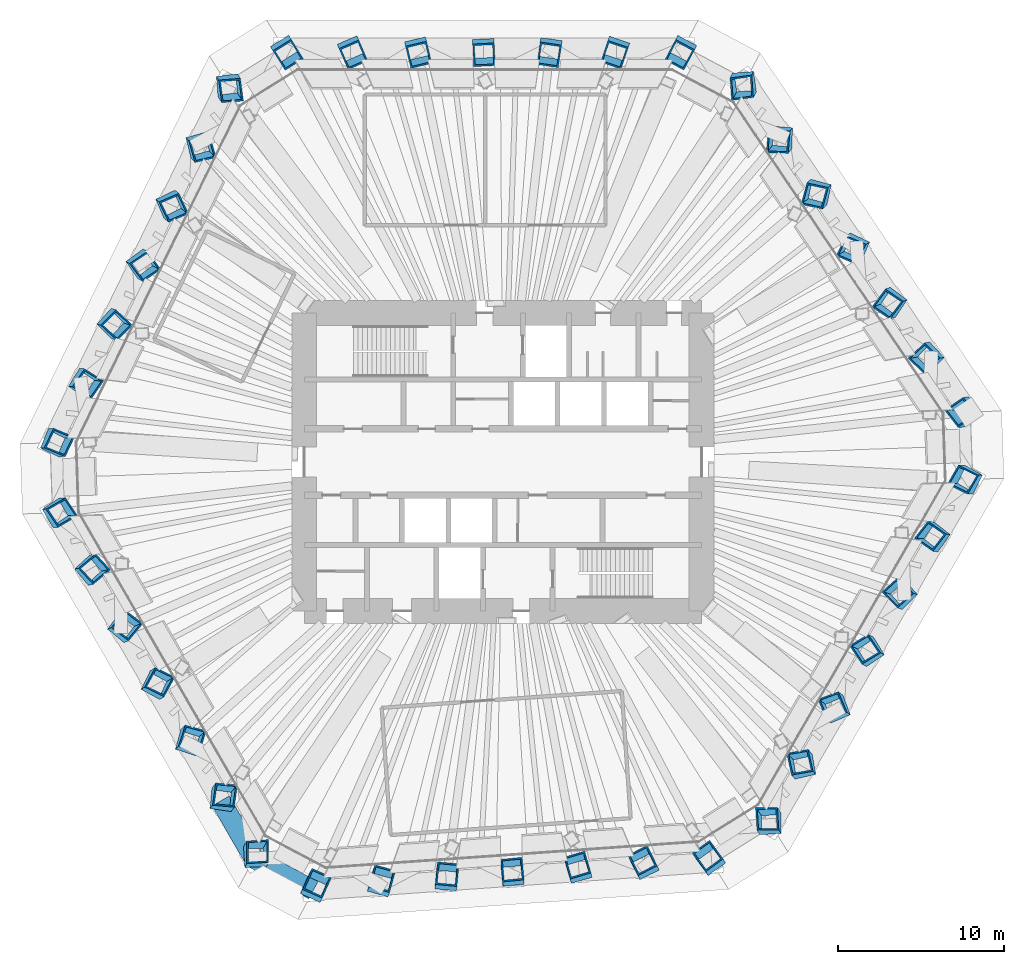
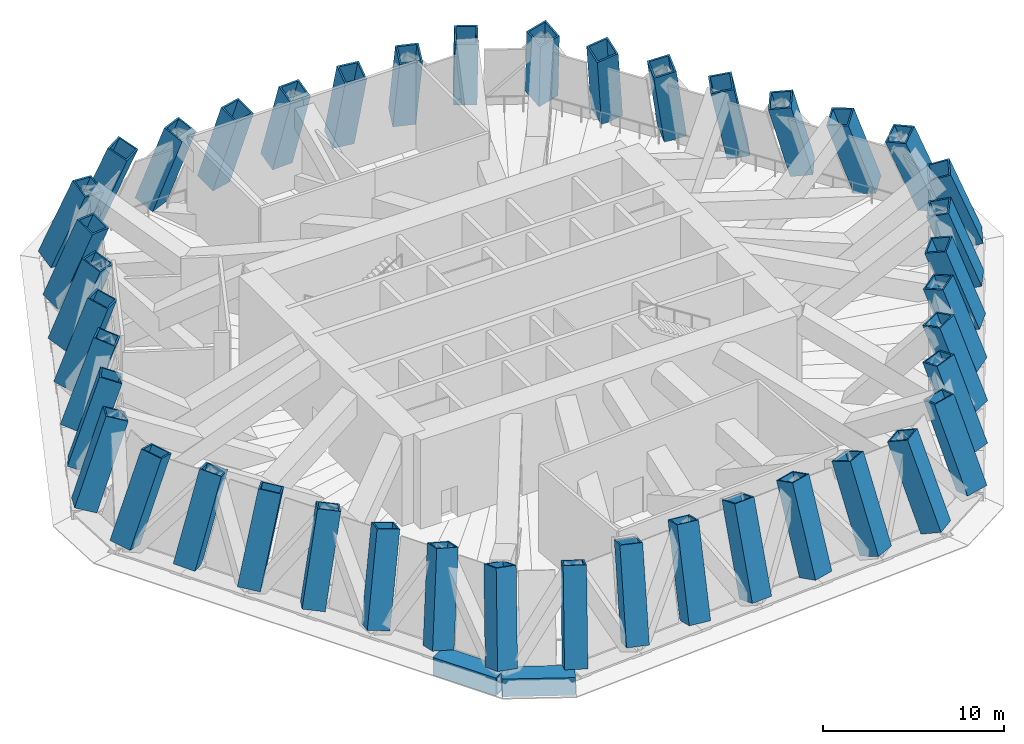
# One storey, part 1 of 12: 42 columns, 2 members.
"""IFC4 building model written with IfcOpenShell, lengths in metres."""

from ifc_helpers import new_model, si_unit, direction, frame, origin, origin_2d, place, context, subcontext, project, spatial, hollow_rectangle, extrude, clip, halfspace, material, material_profile, profile_set, type_object, element, save


model = new_model("IFC4")

# Units and contexts
model_context = context("Model", 3, precision=1e-05, world=origin(), true_north=direction((0.0, 1.0)))
body_context = subcontext(model_context, "Body", "Model", "MODEL_VIEW")
ifc_project = project(units=[si_unit("LENGTHUNIT", "METRE"), si_unit("AREAUNIT", "SQUARE_METRE"), si_unit("VOLUMEUNIT", "CUBIC_METRE"), si_unit("PLANEANGLEUNIT", "RADIAN"), si_unit("MASSUNIT", "GRAM", prefix="KILO")], contexts=[model_context])

# Site, building, storey
site_placement = place(None, origin())
site = spatial("IfcSite", under=ifc_project, at=site_placement, CompositionType="ELEMENT")
building_placement = place(site_placement, origin())
building = spatial("IfcBuilding", under=site, at=building_placement, Name="Qingtian Harvest Tower", CompositionType="ELEMENT")
storey_placement = place(building_placement, frame((0.0, 0.0, 174.39990234375)))
storey = spatial("IfcBuildingStorey", under=building, at=storey_placement, Name="L37", CompositionType="ELEMENT", Elevation=174.39990234375)

# Columns
ifc_material_1 = material(Name="Steel SM570MC", Category="steel")
ifc_material_profile_1 = material_profile(ifc_material_1, hollow_rectangle(XDim=1.300048828125, YDim=1.300048828125, WallThickness=0.10009765625, at=origin_2d()), Name="BOX1300x1300x100")
ifc_profile_set_1 = profile_set([ifc_material_profile_1], Name="Steel SM570MC")
column_type = type_object("IfcColumnType", Name="Raked tube column RK2 BOX1300x1300x100", PredefinedType="COLUMN", material=ifc_profile_set_1)
column_1_placement = place(storey_placement, frame((-13.2216796875, 25.0, 0.0), z_axis=(0.193855237376, -0.310228971397, 0.930686914192), x_axis=(-0.848044827073, -0.529924495824, 0.0)))
element("IfcColumn", 1, at=column_1_placement, inside=storey, type_object=column_type, Name="Raked tube column RK2 N0", PredefinedType="COLUMN", context=body_context, shape_type="Clipping", body=[
    clip(clip(extrude(hollow_rectangle(XDim=1.300048828125, YDim=1.300048828125, WallThickness=0.10009765625, at=origin_2d()), origin(), (0.0, 0.0, 1.0), 6.44677734375), halfspace(frame((0.0, 0.0, 0.255126953125), z_axis=(0.0, 0.0, -1.0), x_axis=(0.0, -1.0, 0.0)), False)), halfspace(frame((0.0, 0.0, 6.191650390625), z_axis=(0.0, 0.0, 1.0), x_axis=(0.0, 1.0, 0.0)), False)),
])
column_2_placement = place(storey_placement, frame((-9.20263671875, 25.0, 0.0), z_axis=(0.13539287358, -0.313315937958, 0.939947813873), x_axis=(-0.917958510973, -0.39667640733, 0.0)))
element("IfcColumn", 2, at=column_2_placement, inside=storey, type_object=column_type, Name="Raked tube column RK2 N1", PredefinedType="COLUMN", context=body_context, shape_type="Clipping", body=[
    clip(clip(extrude(hollow_rectangle(XDim=1.300048828125, YDim=1.300048828125, WallThickness=0.10009765625, at=origin_2d()), origin(), (0.0, 0.0, 1.0), 6.38330078125), halfspace(frame((0.0, 0.0, 0.235595703125), z_axis=(0.0, 0.0, -1.0), x_axis=(0.0, -1.0, 0.0)), False)), halfspace(frame((0.0, 0.0, 6.147705078125), z_axis=(0.0, 0.0, 1.0), x_axis=(0.0, 1.0, 0.0)), False)),
])
column_3_placement = place(storey_placement, frame((-5.18359375, 25.0, 0.0), z_axis=(0.075482606541, -0.315325605701, 0.945976817104), x_axis=(-0.972523990796, -0.232802678949, 0.0)))
element("IfcColumn", 3, at=column_3_placement, inside=storey, type_object=column_type, Name="Raked tube column RK2 N2", PredefinedType="COLUMN", context=body_context, shape_type="Clipping", body=[
    clip(clip(extrude(hollow_rectangle(XDim=1.300048828125, YDim=1.300048828125, WallThickness=0.10009765625, at=origin_2d()), origin(), (0.0, 0.0, 1.0), 6.342529296875), halfspace(frame((0.0, 0.0, 0.222412109375), z_axis=(0.0, 0.0, -1.0), x_axis=(0.0, -1.0, 0.0)), False)), halfspace(frame((0.0, 0.0, 6.1201171875), z_axis=(0.0, 0.0, 1.0), x_axis=(0.0, 1.0, 0.0)), False)),
])
column_4_placement = place(storey_placement, frame((-1.16455078125, 25.0, 0.0), z_axis=(0.01474436954, -0.316193390754, 0.948580172263), x_axis=(-0.998914551336, -0.046580243971, 0.0)))
element("IfcColumn", 4, at=column_4_placement, inside=storey, type_object=column_type, Name="Raked tube column RK2 N3", PredefinedType="COLUMN", context=body_context, shape_type="Clipping", body=[
    clip(clip(extrude(hollow_rectangle(XDim=1.300048828125, YDim=1.300048828125, WallThickness=0.10009765625, at=origin_2d()), origin(), (0.0, 0.0, 1.0), 6.3251953125), halfspace(frame((0.0, 0.0, 0.214599609375), z_axis=(0.0, 0.0, -1.0), x_axis=(0.0, -1.0, 0.0)), False)), halfspace(frame((0.0, 0.0, 6.110595703125), z_axis=(0.0, 0.0, 1.0), x_axis=(0.0, 1.0, 0.0)), False)),
])
column_5_placement = place(storey_placement, frame((2.8544921875, 25.0, 0.0), z_axis=(-0.046157372678, -0.315890724294, 0.947672172881), x_axis=(-0.989492697131, 0.144582856258, 0.0)))
element("IfcColumn", 5, at=column_5_placement, inside=storey, type_object=column_type, Name="Raked tube column RK2 N4", PredefinedType="COLUMN", context=body_context, shape_type="Clipping", body=[
    clip(clip(extrude(hollow_rectangle(XDim=1.300048828125, YDim=1.300048828125, WallThickness=0.10009765625, at=origin_2d()), origin(), (0.0, 0.0, 1.0), 6.331298828125), halfspace(frame((0.0, 0.0, 0.218505859375), z_axis=(0.0, 0.0, -1.0), x_axis=(0.0, -1.0, 0.0)), False)), halfspace(frame((0.0, 0.0, 6.11279296875), z_axis=(0.0, 0.0, 1.0), x_axis=(0.0, 1.0, 0.0)), False)),
])
column_6_placement = place(storey_placement, frame((6.873779296875, 25.0, 0.0), z_axis=(-0.106587148769, -0.31442633155, 0.943278994649), x_axis=(-0.947064092103, 0.321044553683, 0.0)))
element("IfcColumn", 6, at=column_6_placement, inside=storey, type_object=column_type, Name="Raked tube column RK2 N5", PredefinedType="COLUMN", context=body_context, shape_type="Clipping", body=[
    clip(clip(extrude(hollow_rectangle(XDim=1.300048828125, YDim=1.300048828125, WallThickness=0.10009765625, at=origin_2d()), origin(), (0.0, 0.0, 1.0), 6.36083984375), halfspace(frame((0.0, 0.0, 0.228515625), z_axis=(0.0, 0.0, -1.0), x_axis=(0.0, -1.0, 0.0)), False)), halfspace(frame((0.0, 0.0, 6.13232421875), z_axis=(0.0, 0.0, 1.0), x_axis=(0.0, 1.0, 0.0)), False)),
])
column_7_placement = place(storey_placement, frame((10.892822265625, 25.0, 0.0), z_axis=(-0.165822470743, -0.311849788872, 0.935549366617), x_axis=(-0.88293703386, 0.469491420837, 0.0)))
element("IfcColumn", 7, at=column_7_placement, inside=storey, type_object=column_type, Name="Raked tube column RK2 N6", PredefinedType="COLUMN", context=body_context, shape_type="Clipping", body=[
    clip(clip(extrude(hollow_rectangle(XDim=1.300048828125, YDim=1.300048828125, WallThickness=0.10009765625, at=origin_2d()), origin(), (0.0, 0.0, 1.0), 6.413330078125), halfspace(frame((0.0, 0.0, 0.2451171875), z_axis=(0.0, 0.0, -1.0), x_axis=(0.0, -1.0, 0.0)), False)), halfspace(frame((0.0, 0.0, 6.168212890625), z_axis=(0.0, 0.0, 1.0), x_axis=(0.0, 1.0, 0.0)), False)),
])
column_8_placement = place(storey_placement, frame((14.634765625, 23.01025390625, 0.0), z_axis=(-0.165822470743, -0.311849788872, 0.935549366617), x_axis=(-0.129591959705, 0.947347157407, 0.292812717163)))
element("IfcColumn", 8, at=column_8_placement, inside=storey, type_object=column_type, Name="Raked tube column RK2 NE0", PredefinedType="COLUMN", context=body_context, shape_type="Clipping", body=[
    clip(clip(extrude(hollow_rectangle(XDim=1.300048828125, YDim=1.300048828125, WallThickness=0.10009765625, at=origin_2d()), origin(), (0.0, 0.0, 1.0), 6.413330078125), halfspace(frame((0.0, 0.0, 0.27490234375), z_axis=(0.0, 0.0, -1.0), x_axis=(0.0, -1.0, 0.0)), False)), halfspace(frame((0.0, 0.0, 6.138427734375), z_axis=(0.0, 0.0, 1.0), x_axis=(0.0, 1.0, 0.0)), False)),
])
column_9_placement = place(storey_placement, frame((16.88232421875, 19.67822265625, 0.0), z_axis=(-0.201085640042, -0.264148000529, 0.943287018455), x_axis=(0.028747002082, 0.960950668818, 0.27522249539)))
element("IfcColumn", 9, at=column_9_placement, inside=storey, type_object=column_type, Name="Raked tube column RK2 NE1", PredefinedType="COLUMN", context=body_context, shape_type="Clipping", body=[
    clip(clip(extrude(hollow_rectangle(XDim=1.300048828125, YDim=1.300048828125, WallThickness=0.10009765625, at=origin_2d()), origin(), (0.0, 0.0, 1.0), 6.36083984375), halfspace(frame((0.0, 0.0, 0.242919921875), z_axis=(0.0, 0.0, -1.0), x_axis=(0.0, -1.0, 0.0)), False)), halfspace(frame((0.0, 0.0, 6.117919921875), z_axis=(0.0, 0.0, 1.0), x_axis=(0.0, 1.0, 0.0)), False)),
])
column_10_placement = place(storey_placement, frame((19.129638671875, 16.346435546875, 0.0), z_axis=(-0.23606853024, -0.214937273368, 0.94766746148), x_axis=(0.204461817459, 0.942412344211, 0.26467780164)))
element("IfcColumn", 10, at=column_10_placement, inside=storey, type_object=column_type, Name="Raked tube column RK2 NE2", PredefinedType="COLUMN", context=body_context, shape_type="Clipping", body=[
    clip(clip(extrude(hollow_rectangle(XDim=1.300048828125, YDim=1.300048828125, WallThickness=0.10009765625, at=origin_2d()), origin(), (0.0, 0.0, 1.0), 6.331298828125), halfspace(frame((0.0, 0.0, 0.218505859375), z_axis=(0.0, 0.0, -1.0), x_axis=(0.0, -1.0, 0.0)), False)), halfspace(frame((0.0, 0.0, 6.11279296875), z_axis=(0.0, 0.0, 1.0), x_axis=(0.0, 1.0, 0.0)), False)),
])
column_11_placement = place(storey_placement, frame((21.377197265625, 13.014404296875, 0.0), z_axis=(-0.27037667121, -0.164619058203, 0.948576312872), x_axis=(0.380895346697, 0.886593986723, 0.262430633829)))
element("IfcColumn", 11, at=column_11_placement, inside=storey, type_object=column_type, Name="Raked tube column RK2 NE3", PredefinedType="COLUMN", context=body_context, shape_type="Clipping", body=[
    clip(clip(extrude(hollow_rectangle(XDim=1.300048828125, YDim=1.300048828125, WallThickness=0.10009765625, at=origin_2d()), origin(), (0.0, 0.0, 1.0), 6.3251953125), halfspace(frame((0.0, 0.0, 0.2109375), z_axis=(0.0, 0.0, -1.0), x_axis=(0.0, -1.0, 0.0)), False)), halfspace(frame((0.0, 0.0, 6.1142578125), z_axis=(0.0, 0.0, 1.0), x_axis=(0.0, 1.0, 0.0)), False)),
])
column_12_placement = place(storey_placement, frame((23.62451171875, 9.682373046875, 0.0), z_axis=(-0.303624478024, -0.113743703418, 0.945978089745), x_axis=(0.538238116139, 0.798778229188, 0.26879931345)))
element("IfcColumn", 12, at=column_12_placement, inside=storey, type_object=column_type, Name="Raked tube column RK2 NE4", PredefinedType="COLUMN", context=body_context, shape_type="Clipping", body=[
    clip(clip(extrude(hollow_rectangle(XDim=1.300048828125, YDim=1.300048828125, WallThickness=0.10009765625, at=origin_2d()), origin(), (0.0, 0.0, 1.0), 6.342529296875), halfspace(frame((0.0, 0.0, 0.240478515625), z_axis=(0.0, 0.0, -1.0), x_axis=(0.0, -1.0, 0.0)), False)), halfspace(frame((0.0, 0.0, 6.10205078125), z_axis=(0.0, 0.0, 1.0), x_axis=(0.0, 1.0, 0.0)), False)),
])
column_13_placement = place(storey_placement, frame((25.8720703125, 6.3505859375, 0.0), z_axis=(-0.33546007008, -0.062991988989, 0.93994603606), x_axis=(0.662664759602, 0.6934000189, 0.282969662988)))
element("IfcColumn", 13, at=column_13_placement, inside=storey, type_object=column_type, Name="Raked tube column RK2 NE5", PredefinedType="COLUMN", context=body_context, shape_type="Clipping", body=[
    clip(clip(extrude(hollow_rectangle(XDim=1.300048828125, YDim=1.300048828125, WallThickness=0.10009765625, at=origin_2d()), origin(), (0.0, 0.0, 1.0), 6.38330078125), halfspace(frame((0.0, 0.0, 0.280029296875), z_axis=(0.0, 0.0, -1.0), x_axis=(0.0, -1.0, 0.0)), False)), halfspace(frame((0.0, 0.0, 6.103271484375), z_axis=(0.0, 0.0, 1.0), x_axis=(0.0, 1.0, 0.0)), False)),
])
for number, where, z_axis, x_axis, name in (
    (14, (28.119384765625, 3.0185546875, 0.0), (-0.365594474061, -0.012762102523, 0.930686740679), (0.751596285175, 0.585770083952, 0.30327616599), "Raked tube column RK2 NE6"),
    (15, (28.261474609375, -1.049560546875, 0.0), (-0.365594474061, -0.012762102523, 0.930686740679), (0.822951012541, -0.471577128278, 0.316806949172), "Raked tube column RK2 SE0"),
):
    element("IfcColumn", number, at=place(storey_placement, frame(where, z_axis=z_axis, x_axis=x_axis)), inside=storey, type_object=column_type, Name=name, PredefinedType="COLUMN", context=body_context, shape_type="Clipping", body=[
        clip(clip(extrude(hollow_rectangle(XDim=1.300048828125, YDim=1.300048828125, WallThickness=0.10009765625, at=origin_2d()), origin(), (0.0, 0.0, 1.0), 6.44677734375), halfspace(frame((0.0, 0.0, 0.327392578125), z_axis=(0.0, 0.0, -1.0), x_axis=(0.0, -1.0, 0.0)), False)), halfspace(frame((0.0, 0.0, 6.119384765625), z_axis=(0.0, 0.0, 1.0), x_axis=(0.0, 1.0, 0.0)), False)),
    ])
column_14_placement = place(storey_placement, frame((26.251953125, -4.5302734375, 0.0), z_axis=(-0.339019884495, 0.039394232968, 0.939954047986), x_axis=(0.750871570405, -0.590615859931, 0.295575355461)))
element("IfcColumn", 16, at=column_14_placement, inside=storey, type_object=column_type, Name="Raked tube column RK2 SE1", PredefinedType="COLUMN", context=body_context, shape_type="Clipping", body=[
    clip(clip(extrude(hollow_rectangle(XDim=1.300048828125, YDim=1.300048828125, WallThickness=0.10009765625, at=origin_2d()), origin(), (0.0, 0.0, 1.0), 6.38330078125), halfspace(frame((0.0, 0.0, 0.28515625), z_axis=(0.0, 0.0, -1.0), x_axis=(0.0, -1.0, 0.0)), False)), halfspace(frame((0.0, 0.0, 6.09814453125), z_axis=(0.0, 0.0, 1.0), x_axis=(0.0, 1.0, 0.0)), False)),
])
column_15_placement = place(storey_placement, frame((24.242431640625, -8.010986328125, 0.0), z_axis=(-0.310821675411, 0.092303452339, 0.945975665005), x_axis=(0.643002166591, -0.712531180262, 0.280798025126)))
element("IfcColumn", 17, at=column_15_placement, inside=storey, type_object=column_type, Name="Raked tube column RK2 SE2", PredefinedType="COLUMN", context=body_context, shape_type="Clipping", body=[
    clip(clip(extrude(hollow_rectangle(XDim=1.300048828125, YDim=1.300048828125, WallThickness=0.10009765625, at=origin_2d()), origin(), (0.0, 0.0, 1.0), 6.3427734375), halfspace(frame((0.0, 0.0, 0.242919921875), z_axis=(0.0, 0.0, -1.0), x_axis=(0.0, -1.0, 0.0)), False)), halfspace(frame((0.0, 0.0, 6.099853515625), z_axis=(0.0, 0.0, 1.0), x_axis=(0.0, 1.0, 0.0)), False)),
])
column_16_placement = place(storey_placement, frame((22.23291015625, -11.491455078125, 0.0), z_axis=(-0.281186908996, 0.145321717552, 0.948586063896), x_axis=(0.500235129663, -0.821356472863, 0.274113771156)))
element("IfcColumn", 18, at=column_16_placement, inside=storey, type_object=column_type, Name="Raked tube column RK2 SE3", PredefinedType="COLUMN", context=body_context, shape_type="Clipping", body=[
    clip(clip(extrude(hollow_rectangle(XDim=1.300048828125, YDim=1.300048828125, WallThickness=0.10009765625, at=origin_2d()), origin(), (0.0, 0.0, 1.0), 6.3251953125), halfspace(frame((0.0, 0.0, 0.211181640625), z_axis=(0.0, 0.0, -1.0), x_axis=(0.0, -1.0, 0.0)), False)), halfspace(frame((0.0, 0.0, 6.114013671875), z_axis=(0.0, 0.0, 1.0), x_axis=(0.0, 1.0, 0.0)), False)),
])
column_17_placement = place(storey_placement, frame((20.223388671875, -14.97216796875, 0.0), z_axis=(-0.250490721891, 0.19793240078, 0.947669332081), x_axis=(0.33394448632, -0.901132039316, 0.276481695188)))
element("IfcColumn", 19, at=column_17_placement, inside=storey, type_object=column_type, Name="Raked tube column RK2 SE4", PredefinedType="COLUMN", context=body_context, shape_type="Clipping", body=[
    clip(clip(extrude(hollow_rectangle(XDim=1.300048828125, YDim=1.300048828125, WallThickness=0.10009765625, at=origin_2d()), origin(), (0.0, 0.0, 1.0), 6.331298828125), halfspace(frame((0.0, 0.0, 0.2177734375), z_axis=(0.0, 0.0, -1.0), x_axis=(0.0, -1.0, 0.0)), False)), halfspace(frame((0.0, 0.0, 6.113525390625), z_axis=(0.0, 0.0, 1.0), x_axis=(0.0, 1.0, 0.0)), False)),
])
column_18_placement = place(storey_placement, frame((18.2138671875, -18.452880859375, 0.0), z_axis=(-0.219008243707, 0.249522010575, 0.943278408227), x_axis=(0.163093515214, -0.943785527472, 0.28752283984)))
element("IfcColumn", 20, at=column_18_placement, inside=storey, type_object=column_type, Name="Raked tube column RK2 SE5", PredefinedType="COLUMN", context=body_context, shape_type="Clipping", body=[
    clip(clip(extrude(hollow_rectangle(XDim=1.300048828125, YDim=1.300048828125, WallThickness=0.10009765625, at=origin_2d()), origin(), (0.0, 0.0, 1.0), 6.36083984375), halfspace(frame((0.0, 0.0, 0.240478515625), z_axis=(0.0, 0.0, -1.0), x_axis=(0.0, -1.0, 0.0)), False)), halfspace(frame((0.0, 0.0, 6.120361328125), z_axis=(0.0, 0.0, 1.0), x_axis=(0.0, 1.0, 0.0)), False)),
])
column_19_placement = place(storey_placement, frame((16.204345703125, -21.933349609375, 0.0), z_axis=(-0.187178569554, 0.299516165396, 0.935550239039), x_axis=(0.005367925981, -0.952056654142, 0.305874668247)))
element("IfcColumn", 21, at=column_19_placement, inside=storey, type_object=column_type, Name="Raked tube column RK2 SE6", PredefinedType="COLUMN", context=body_context, shape_type="Clipping", body=[
    clip(clip(extrude(hollow_rectangle(XDim=1.300048828125, YDim=1.300048828125, WallThickness=0.10009765625, at=origin_2d()), origin(), (0.0, 0.0, 1.0), 6.413330078125), halfspace(frame((0.0, 0.0, 0.2705078125), z_axis=(0.0, 0.0, -1.0), x_axis=(0.0, -1.0, 0.0)), False)), halfspace(frame((0.0, 0.0, 6.142822265625), z_axis=(0.0, 0.0, 1.0), x_axis=(0.0, 1.0, 0.0)), False)),
])
column_20_placement = place(storey_placement, frame((12.610107421875, -24.17919921875, 0.0), z_axis=(-0.187178569554, 0.299516165396, 0.935550239039), x_axis=(-0.811371218202, -0.584011761646, 0.024637543161)))
element("IfcColumn", 22, at=column_20_placement, inside=storey, type_object=column_type, Name="Raked tube column RK2 S0", PredefinedType="COLUMN", context=body_context, shape_type="Clipping", body=[
    clip(clip(extrude(hollow_rectangle(XDim=1.300048828125, YDim=1.300048828125, WallThickness=0.10009765625, at=origin_2d()), origin(), (0.0, 0.0, 1.0), 6.413330078125), halfspace(frame((0.0, 0.0, 0.247314453125), z_axis=(0.0, 0.0, -1.0), x_axis=(0.0, -1.0, 0.0)), False)), halfspace(frame((0.0, 0.0, 6.166015625), z_axis=(0.0, 0.0, 1.0), x_axis=(0.0, 1.0, 0.0)), False)),
])
column_21_placement = place(storey_placement, frame((8.600830078125, -24.459716796875, 0.0), z_axis=(-0.128234085837, 0.306249557287, 0.943274736167), x_axis=(-0.89474092575, -0.445984626313, 0.023160070818)))
element("IfcColumn", 23, at=column_21_placement, inside=storey, type_object=column_type, Name="Raked tube column RK2 S1", PredefinedType="COLUMN", context=body_context, shape_type="Clipping", body=[
    clip(clip(extrude(hollow_rectangle(XDim=1.300048828125, YDim=1.300048828125, WallThickness=0.10009765625, at=origin_2d()), origin(), (0.0, 0.0, 1.0), 6.36083984375), halfspace(frame((0.0, 0.0, 0.228759765625), z_axis=(0.0, 0.0, -1.0), x_axis=(0.0, -1.0, 0.0)), False)), halfspace(frame((0.0, 0.0, 6.132080078125), z_axis=(0.0, 0.0, 1.0), x_axis=(0.0, 1.0, 0.0)), False)),
])
column_22_placement = place(storey_placement, frame((4.591552734375, -24.739990234375, 0.0), z_axis=(-0.068098057213, 0.311916865682, 0.947665829028), x_axis=(-0.96050732757, -0.277362016786, 0.02227072808)))
element("IfcColumn", 24, at=column_22_placement, inside=storey, type_object=column_type, Name="Raked tube column RK2 S2", PredefinedType="COLUMN", context=body_context, shape_type="Clipping", body=[
    clip(clip(extrude(hollow_rectangle(XDim=1.300048828125, YDim=1.300048828125, WallThickness=0.10009765625, at=origin_2d()), origin(), (0.0, 0.0, 1.0), 6.331298828125), halfspace(frame((0.0, 0.0, 0.2158203125), z_axis=(0.0, 0.0, -1.0), x_axis=(0.0, -1.0, 0.0)), False)), halfspace(frame((0.0, 0.0, 6.115478515625), z_axis=(0.0, 0.0, 1.0), x_axis=(0.0, 1.0, 0.0)), False)),
])
column_23_placement = place(storey_placement, frame((0.582275390625, -25.020263671875, 0.0), z_axis=(-0.007372245743, 0.316427594761, 0.94858801767), x_axis=(-0.99575217644, -0.089387509859, 0.022078863124)))
element("IfcColumn", 25, at=column_23_placement, inside=storey, type_object=column_type, Name="Raked tube column RK2 S3", PredefinedType="COLUMN", context=body_context, shape_type="Clipping", body=[
    clip(clip(extrude(hollow_rectangle(XDim=1.300048828125, YDim=1.300048828125, WallThickness=0.10009765625, at=origin_2d()), origin(), (0.0, 0.0, 1.0), 6.3251953125), halfspace(frame((0.0, 0.0, 0.214599609375), z_axis=(0.0, 0.0, -1.0), x_axis=(0.0, -1.0, 0.0)), False)), halfspace(frame((0.0, 0.0, 6.110595703125), z_axis=(0.0, 0.0, 1.0), x_axis=(0.0, 1.0, 0.0)), False)),
])
column_24_placement = place(storey_placement, frame((-3.427001953125, -25.30078125, 0.0), z_axis=(0.05327276121, 0.319829026656, 0.945976430267), x_axis=(-0.99484912202, 0.098811296386, 0.022617518034)))
element("IfcColumn", 26, at=column_24_placement, inside=storey, type_object=column_type, Name="Raked tube column RK2 S4", PredefinedType="COLUMN", context=body_context, shape_type="Clipping", body=[
    clip(clip(extrude(hollow_rectangle(XDim=1.300048828125, YDim=1.300048828125, WallThickness=0.10009765625, at=origin_2d()), origin(), (0.0, 0.0, 1.0), 6.3427734375), halfspace(frame((0.0, 0.0, 0.23486328125), z_axis=(0.0, 0.0, -1.0), x_axis=(0.0, -1.0, 0.0)), False)), halfspace(frame((0.0, 0.0, 6.10791015625), z_axis=(0.0, 0.0, 1.0), x_axis=(0.0, 1.0, 0.0)), False)),
])
column_25_placement = place(storey_placement, frame((-7.436279296875, -25.5810546875, 0.0), z_axis=(0.113209802682, 0.32199774621, 0.939947334702), x_axis=(-0.962840505356, 0.269019109131, 0.023809245446)))
element("IfcColumn", 27, at=column_25_placement, inside=storey, type_object=column_type, Name="Raked tube column RK2 S5", PredefinedType="COLUMN", context=body_context, shape_type="Clipping", body=[
    clip(clip(extrude(hollow_rectangle(XDim=1.300048828125, YDim=1.300048828125, WallThickness=0.10009765625, at=origin_2d()), origin(), (0.0, 0.0, 1.0), 6.38330078125), halfspace(frame((0.0, 0.0, 0.246337890625), z_axis=(0.0, 0.0, -1.0), x_axis=(0.0, -1.0, 0.0)), False)), halfspace(frame((0.0, 0.0, 6.136962890625), z_axis=(0.0, 0.0, 1.0), x_axis=(0.0, 1.0, 0.0)), False)),
])
column_26_placement = place(storey_placement, frame((-11.445556640625, -25.861328125, 0.0), z_axis=(0.171739669238, 0.322991761617, 0.930688888908), x_axis=(-0.911273722114, 0.411009791442, 0.025517733503)))
element("IfcColumn", 28, at=column_26_placement, inside=storey, type_object=column_type, Name="Raked tube column RK2 S6", PredefinedType="COLUMN", context=body_context, shape_type="Clipping", body=[
    clip(clip(extrude(hollow_rectangle(XDim=1.300048828125, YDim=1.300048828125, WallThickness=0.10009765625, at=origin_2d()), origin(), (0.0, 0.0, 1.0), 6.44677734375), halfspace(frame((0.0, 0.0, 0.264404296875), z_axis=(0.0, 0.0, -1.0), x_axis=(0.0, -1.0, 0.0)), False)), halfspace(frame((0.0, 0.0, 6.182373046875), z_axis=(0.0, 0.0, 1.0), x_axis=(0.0, 1.0, 0.0)), False)),
])
column_27_placement = place(storey_placement, frame((-15.039794921875, -23.950439453125, 0.0), z_axis=(0.171739669238, 0.322991761617, 0.930688888908), x_axis=(-0.06307526564, 0.946392025969, -0.316802215975)))
element("IfcColumn", 29, at=column_27_placement, inside=storey, type_object=column_type, Name="Raked tube column RK2 SW0", PredefinedType="COLUMN", context=body_context, shape_type="Clipping", body=[
    clip(clip(extrude(hollow_rectangle(XDim=1.300048828125, YDim=1.300048828125, WallThickness=0.10009765625, at=origin_2d()), origin(), (0.0, 0.0, 1.0), 6.44677734375), halfspace(frame((0.0, 0.0, 0.287353515625), z_axis=(0.0, 0.0, -1.0), x_axis=(0.0, -1.0, 0.0)), False)), halfspace(frame((0.0, 0.0, 6.159423828125), z_axis=(0.0, 0.0, 1.0), x_axis=(0.0, 1.0, 0.0)), False)),
])
column_28_placement = place(storey_placement, frame((-17.04931640625, -20.4697265625, 0.0), z_axis=(0.203661608041, 0.273920082026, 0.939941348209), x_axis=(0.084442230931, 0.951570708455, -0.29560564346)))
element("IfcColumn", 30, at=column_28_placement, inside=storey, type_object=column_type, Name="Raked tube column RK2 SW1", PredefinedType="COLUMN", context=body_context, shape_type="Clipping", body=[
    clip(clip(extrude(hollow_rectangle(XDim=1.300048828125, YDim=1.300048828125, WallThickness=0.10009765625, at=origin_2d()), origin(), (0.0, 0.0, 1.0), 6.38330078125), halfspace(frame((0.0, 0.0, 0.254150390625), z_axis=(0.0, 0.0, -1.0), x_axis=(0.0, -1.0, 0.0)), False)), halfspace(frame((0.0, 0.0, 6.129150390625), z_axis=(0.0, 0.0, 1.0), x_axis=(0.0, 1.0, 0.0)), False)),
])
column_29_placement = place(storey_placement, frame((-19.058837890625, -16.989013671875, 0.0), z_axis=(0.235339962254, 0.223022528836, 0.94597888655), x_axis=(0.250715543891, 0.9264441464, -0.280789885237)))
element("IfcColumn", 31, at=column_29_placement, inside=storey, type_object=column_type, Name="Raked tube column RK2 SW2", PredefinedType="COLUMN", context=body_context, shape_type="Clipping", body=[
    clip(clip(extrude(hollow_rectangle(XDim=1.300048828125, YDim=1.300048828125, WallThickness=0.10009765625, at=origin_2d()), origin(), (0.0, 0.0, 1.0), 6.342529296875), halfspace(frame((0.0, 0.0, 0.227783203125), z_axis=(0.0, 0.0, -1.0), x_axis=(0.0, -1.0, 0.0)), False)), halfspace(frame((0.0, 0.0, 6.11474609375), z_axis=(0.0, 0.0, 1.0), x_axis=(0.0, 1.0, 0.0)), False)),
])
column_30_placement = place(storey_placement, frame((-21.068359375, -13.508544921875, 0.0), z_axis=(0.266477652598, 0.170871461189, 0.948573984683), x_axis=(0.421640967314, 0.864328264026, -0.274145119758)))
element("IfcColumn", 32, at=column_30_placement, inside=storey, type_object=column_type, Name="Raked tube column RK2 SW3", PredefinedType="COLUMN", context=body_context, shape_type="Clipping", body=[
    clip(clip(extrude(hollow_rectangle(XDim=1.300048828125, YDim=1.300048828125, WallThickness=0.10009765625, at=origin_2d()), origin(), (0.0, 0.0, 1.0), 6.3251953125), halfspace(frame((0.0, 0.0, 0.208740234375), z_axis=(0.0, 0.0, -1.0), x_axis=(0.0, -1.0, 0.0)), False)), halfspace(frame((0.0, 0.0, 6.116455078125), z_axis=(0.0, 0.0, 1.0), x_axis=(0.0, 1.0, 0.0)), False)),
])
column_31_placement = place(storey_placement, frame((-23.077880859375, -10.02783203125, 0.0), z_axis=(0.296649273987, 0.117957900575, 0.947673541857), x_axis=(0.577882690595, 0.767864214795, -0.276470872876)))
element("IfcColumn", 33, at=column_31_placement, inside=storey, type_object=column_type, Name="Raked tube column RK2 SW4", PredefinedType="COLUMN", context=body_context, shape_type="Clipping", body=[
    clip(clip(extrude(hollow_rectangle(XDim=1.300048828125, YDim=1.300048828125, WallThickness=0.10009765625, at=origin_2d()), origin(), (0.0, 0.0, 1.0), 6.331298828125), halfspace(frame((0.0, 0.0, 0.226318359375), z_axis=(0.0, 0.0, -1.0), x_axis=(0.0, -1.0, 0.0)), False)), halfspace(frame((0.0, 0.0, 6.10498046875), z_axis=(0.0, 0.0, 1.0), x_axis=(0.0, 1.0, 0.0)), False)),
])
column_32_placement = place(storey_placement, frame((-25.08740234375, -6.547119140625, 0.0), z_axis=(0.32559548618, 0.064904157389, 0.943278871667), x_axis=(0.70339450168, 0.650051880473, -0.287521699529)))
element("IfcColumn", 34, at=column_32_placement, inside=storey, type_object=column_type, Name="Raked tube column RK2 SW5", PredefinedType="COLUMN", context=body_context, shape_type="Clipping", body=[
    clip(clip(extrude(hollow_rectangle(XDim=1.300048828125, YDim=1.300048828125, WallThickness=0.10009765625, at=origin_2d()), origin(), (0.0, 0.0, 1.0), 6.36083984375), halfspace(frame((0.0, 0.0, 0.26318359375), z_axis=(0.0, 0.0, -1.0), x_axis=(0.0, -1.0, 0.0)), False)), halfspace(frame((0.0, 0.0, 6.09765625), z_axis=(0.0, 0.0, 1.0), x_axis=(0.0, 1.0, 0.0)), False)),
])
for number, where, z_axis, x_axis, name in (
    (35, (-27.096923828125, -3.066650390625, 0.0), (0.352965007819, 0.012333979997, 0.935555223486), (0.792259074363, 0.527989811676, -0.305863233906), "Raked tube column RK2 SW6"),
    (36, (-27.244873046875, 1.1689453125, 0.0), (0.352965007819, 0.012333979997, 0.935555223486), (0.855667611109, -0.408738329547, -0.317436477516), "Raked tube column RK2 NW0"),
):
    element("IfcColumn", number, at=place(storey_placement, frame(where, z_axis=z_axis, x_axis=x_axis)), inside=storey, type_object=column_type, Name=name, PredefinedType="COLUMN", context=body_context, shape_type="Clipping", body=[
        clip(clip(extrude(hollow_rectangle(XDim=1.300048828125, YDim=1.300048828125, WallThickness=0.10009765625, at=origin_2d()), origin(), (0.0, 0.0, 1.0), 6.413330078125), halfspace(frame((0.0, 0.0, 0.31005859375), z_axis=(0.0, 0.0, -1.0), x_axis=(0.0, -1.0, 0.0)), False)), halfspace(frame((0.0, 0.0, 6.103271484375), z_axis=(0.0, 0.0, 1.0), x_axis=(0.0, 1.0, 0.0)), False)),
    ])
column_33_placement = place(storey_placement, frame((-25.483154296875, 4.78125, 0.0), z_axis=(0.329319847953, -0.042028581994, 0.943282585464), x_axis=(0.785499738896, -0.542174050527, -0.298391452842)))
element("IfcColumn", 37, at=column_33_placement, inside=storey, type_object=column_type, Name="Raked tube column RK2 NW1", PredefinedType="COLUMN", context=body_context, shape_type="Clipping", body=[
    clip(clip(extrude(hollow_rectangle(XDim=1.300048828125, YDim=1.300048828125, WallThickness=0.10009765625, at=origin_2d()), origin(), (0.0, 0.0, 1.0), 6.36083984375), halfspace(frame((0.0, 0.0, 0.26708984375), z_axis=(0.0, 0.0, -1.0), x_axis=(0.0, -1.0, 0.0)), False)), halfspace(frame((0.0, 0.0, 6.09375), z_axis=(0.0, 0.0, 1.0), x_axis=(0.0, 1.0, 0.0)), False)),
])
column_34_placement = place(storey_placement, frame((-23.72119140625, 8.3935546875, 0.0), z_axis=(0.304167290681, -0.096980316438, 0.94766928699), x_axis=(0.678344568821, -0.676396463833, -0.286943321346)))
element("IfcColumn", 38, at=column_34_placement, inside=storey, type_object=column_type, Name="Raked tube column RK2 NW2", PredefinedType="COLUMN", context=body_context, shape_type="Clipping", body=[
    clip(clip(extrude(hollow_rectangle(XDim=1.300048828125, YDim=1.300048828125, WallThickness=0.10009765625, at=origin_2d()), origin(), (0.0, 0.0, 1.0), 6.331298828125), halfspace(frame((0.0, 0.0, 0.227783203125), z_axis=(0.0, 0.0, -1.0), x_axis=(0.0, -1.0, 0.0)), False)), halfspace(frame((0.0, 0.0, 6.103515625), z_axis=(0.0, 0.0, 1.0), x_axis=(0.0, 1.0, 0.0)), False)),
])
column_35_placement = place(storey_placement, frame((-21.95947265625, 12.005859375, 0.0), z_axis=(0.277749131773, -0.151843396942, 0.948577357206), x_axis=(0.537800849701, -0.793615020284, -0.284509131032)))
element("IfcColumn", 39, at=column_35_placement, inside=storey, type_object=column_type, Name="Raked tube column RK2 NW3", PredefinedType="COLUMN", context=body_context, shape_type="Clipping", body=[
    clip(clip(extrude(hollow_rectangle(XDim=1.300048828125, YDim=1.300048828125, WallThickness=0.10009765625, at=origin_2d()), origin(), (0.0, 0.0, 1.0), 6.3251953125), halfspace(frame((0.0, 0.0, 0.20849609375), z_axis=(0.0, 0.0, -1.0), x_axis=(0.0, -1.0, 0.0)), False)), halfspace(frame((0.0, 0.0, 6.11669921875), z_axis=(0.0, 0.0, 1.0), x_axis=(0.0, 1.0, 0.0)), False)),
])
column_36_placement = place(storey_placement, frame((-20.197509765625, 15.6181640625, 0.0), z_axis=(0.250314791265, -0.206048758672, 0.945984362621), x_axis=(0.377848449049, -0.878815432327, -0.291400043677)))
element("IfcColumn", 40, at=column_36_placement, inside=storey, type_object=column_type, Name="Raked tube column RK2 NW4", PredefinedType="COLUMN", context=body_context, shape_type="Clipping", body=[
    clip(clip(extrude(hollow_rectangle(XDim=1.300048828125, YDim=1.300048828125, WallThickness=0.10009765625, at=origin_2d()), origin(), (0.0, 0.0, 1.0), 6.342529296875), halfspace(frame((0.0, 0.0, 0.226318359375), z_axis=(0.0, 0.0, -1.0), x_axis=(0.0, -1.0, 0.0)), False)), halfspace(frame((0.0, 0.0, 6.1162109375), z_axis=(0.0, 0.0, 1.0), x_axis=(0.0, 1.0, 0.0)), False)),
])
column_37_placement = place(storey_placement, frame((-18.435791015625, 19.23046875, 0.0), z_axis=(0.222289275442, -0.259006017428, 0.939948594849), x_axis=(0.217551174815, -0.926586164631, -0.3067728245)))
element("IfcColumn", 41, at=column_37_placement, inside=storey, type_object=column_type, Name="Raked tube column RK2 NW5", PredefinedType="COLUMN", context=body_context, shape_type="Clipping", body=[
    clip(clip(extrude(hollow_rectangle(XDim=1.300048828125, YDim=1.300048828125, WallThickness=0.10009765625, at=origin_2d()), origin(), (0.0, 0.0, 1.0), 6.38330078125), halfspace(frame((0.0, 0.0, 0.250732421875), z_axis=(0.0, 0.0, -1.0), x_axis=(0.0, -1.0, 0.0)), False)), halfspace(frame((0.0, 0.0, 6.132568359375), z_axis=(0.0, 0.0, 1.0), x_axis=(0.0, 1.0, 0.0)), False)),
])
column_38_placement = place(storey_placement, frame((-16.673828125, 22.8427734375, 0.0), z_axis=(0.193855237376, -0.310228971397, 0.930686914192), x_axis=(0.071521262142, -0.94168959372, -0.328793883979)))
element("IfcColumn", 42, at=column_38_placement, inside=storey, type_object=column_type, Name="Raked tube column RK2 NW6", PredefinedType="COLUMN", context=body_context, shape_type="Clipping", body=[
    clip(clip(extrude(hollow_rectangle(XDim=1.300048828125, YDim=1.300048828125, WallThickness=0.10009765625, at=origin_2d()), origin(), (0.0, 0.0, 1.0), 6.44677734375), halfspace(frame((0.0, 0.0, 0.281982421875), z_axis=(0.0, 0.0, -1.0), x_axis=(0.0, -1.0, 0.0)), False)), halfspace(frame((0.0, 0.0, 6.164794921875), z_axis=(0.0, 0.0, 1.0), x_axis=(0.0, 1.0, 0.0)), False)),
])

# Members
ifc_material_2 = material(Name="Steel SM570MC", Category="steel")
ifc_material_profile_2 = material_profile(ifc_material_2, hollow_rectangle(XDim=1.199951171875, YDim=1.199951171875, WallThickness=0.10009765625, at=origin_2d()), Name="BOX1200x1200x100")
ifc_profile_set_2 = profile_set([ifc_material_profile_2], Name="Steel SM570MC")
member_type = type_object("IfcMemberType", Name="Belt truss chord BC2 BOX1200x1200x100", PredefinedType="CHORD", material=ifc_profile_set_2)
member_1_placement = place(storey_placement, frame((-11.445556640625, -25.861328125, -0.599853515625), z_axis=(-0.882968133669, 0.469432929101, 0.0), x_axis=(-0.469432929101, -0.882968133669, 0.0)))
element("IfcMember", 43, at=member_1_placement, inside=storey, type_object=member_type, Name="Belt chord BC2 SC", PredefinedType="CHORD", context=body_context, shape_type="SweptSolid", body=[
    extrude(hollow_rectangle(XDim=1.199951171875, YDim=1.199951171875, WallThickness=0.10009765625, at=origin_2d()), origin(), (0.0, 0.0, 1.0), 4.070556640625),
])
member_2_placement = place(storey_placement, frame((-15.039794921875, -23.950439453125, -0.599853515625), z_axis=(-0.499987116613, 0.866032841884, 0.0), x_axis=(-0.866032841884, -0.499987116613, 0.0)))
element("IfcMember", 44, at=member_2_placement, inside=storey, type_object=member_type, Name="Belt chord BC2 SW0", PredefinedType="CHORD", context=body_context, shape_type="SweptSolid", body=[
    extrude(hollow_rectangle(XDim=1.199951171875, YDim=1.199951171875, WallThickness=0.10009765625, at=origin_2d()), origin(), (0.0, 0.0, 1.0), 4.01904296875),
])

save(model, "model.ifc")
